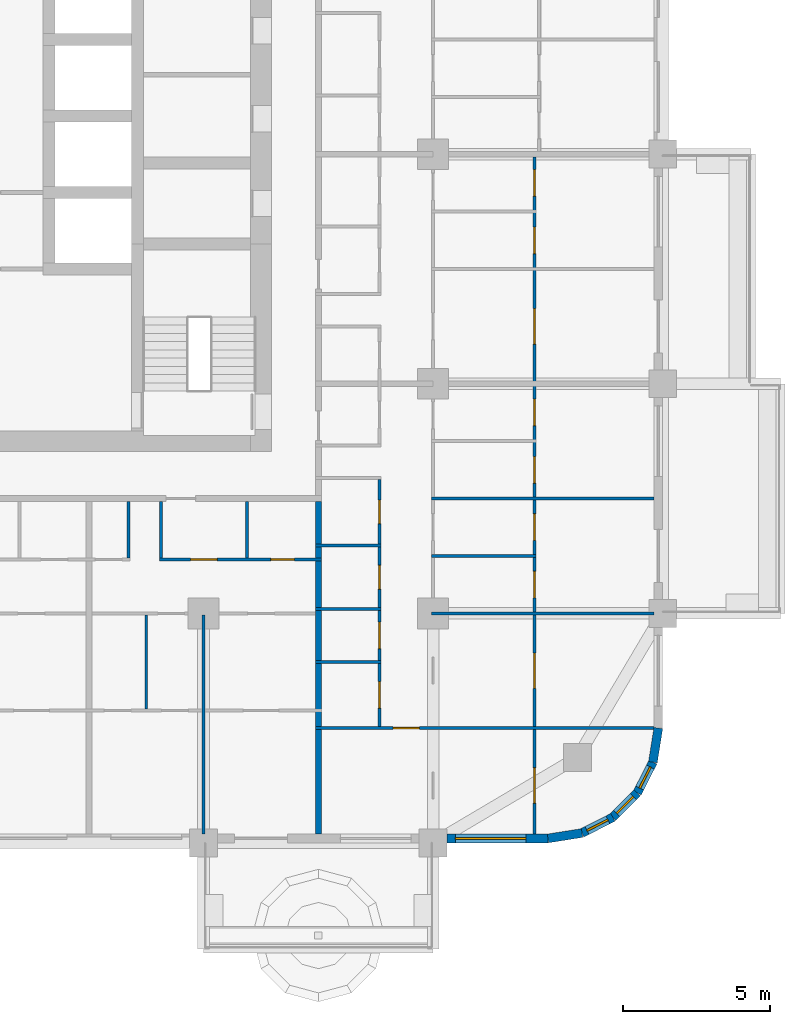
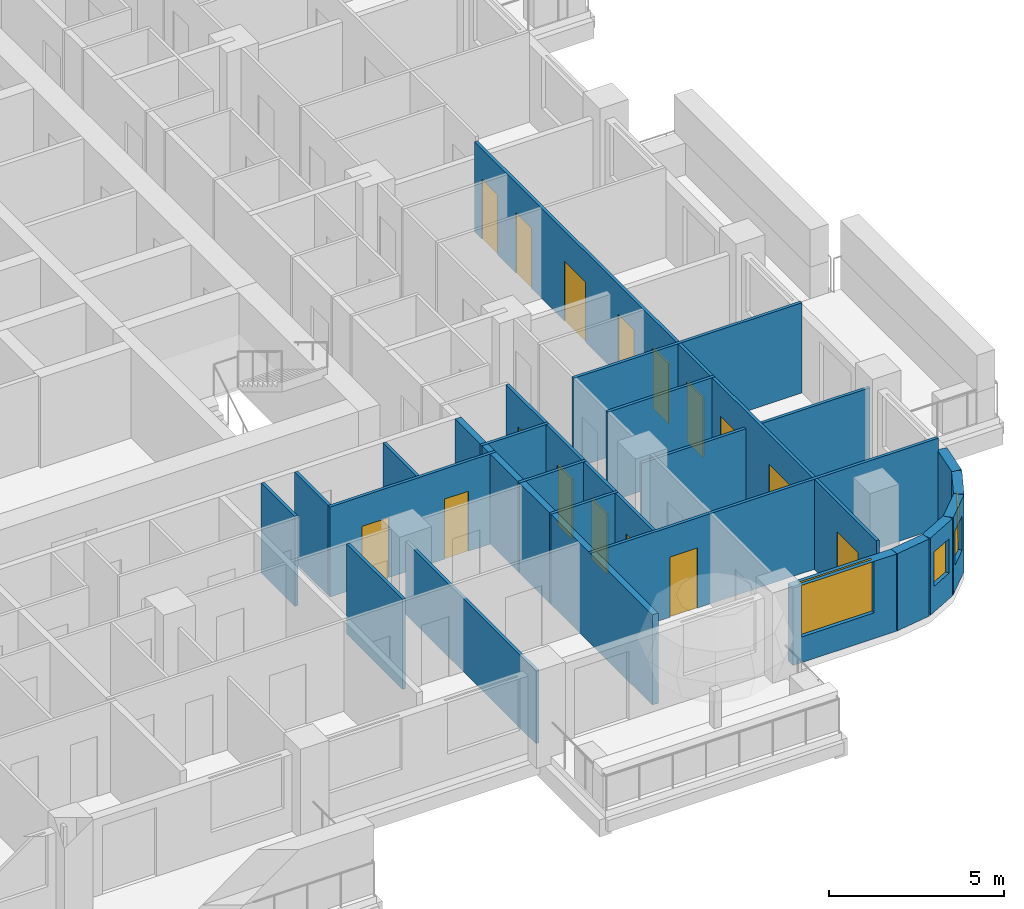
# One storey, part 7 of 19: 22 walls, 16 doors, 4 windows, 20 openings.
"""IFC4 building model written with IfcOpenShell, lengths in metres."""

from ifc_helpers import new_model, si_unit, direction, frame, frame_2d, origin, place, context, subcontext, project, spatial, rectangle, extrude, material, layer, layer_set, type_object, element, fill, save


model = new_model("IFC4")

# Units and contexts
model_context = context("Model", 3, precision=1e-05, world=origin(), true_north=direction((0.0, 1.0)))
body_context = subcontext(model_context, "Body", "Model", "MODEL_VIEW")
ifc_project = project(units=[si_unit("LENGTHUNIT", "METRE"), si_unit("AREAUNIT", "SQUARE_METRE"), si_unit("VOLUMEUNIT", "CUBIC_METRE"), si_unit("PLANEANGLEUNIT", "RADIAN"), si_unit("MASSUNIT", "GRAM", prefix="KILO")], contexts=[model_context])

# Site, building, storey
site_placement = place(None, origin())
site = spatial("IfcSite", under=ifc_project, at=site_placement, CompositionType="ELEMENT")
building_placement = place(site_placement, origin())
building = spatial("IfcBuilding", under=site, at=building_placement, Name="Ludao Terraces", CompositionType="ELEMENT")
storey_placement = place(building_placement, frame((0.0, 0.0, 68.199951171875)))
storey = spatial("IfcBuildingStorey", under=building, at=storey_placement, Name="L18", CompositionType="ELEMENT", Elevation=68.199951171875)

# Wall, opening, window
ifc_material_1 = material(Name="Granite cladding", Category="masonry")
ifc_layer_1 = layer(ifc_material_1, 0.0400390625, Category="stone")
ifc_material_2 = material(Name="Mineral wool")
ifc_layer_2 = layer(ifc_material_2, 0.06005859375)
ifc_material_3 = material(Name="Concrete C40", Category="concrete")
ifc_layer_3 = layer(ifc_material_3, 0.199951171875, Category="concrete")
ifc_layer_set_1 = layer_set([ifc_layer_1, ifc_layer_2, ifc_layer_3], Name="ENV Stone-clad wall 300")
wall_type_1 = type_object("IfcWallType", Name="ENV Stone-clad wall 300", PredefinedType="SOLIDWALL", material=ifc_layer_set_1)
wall_1_placement = place(storey_placement, frame((101.074951171875, 41.75, 0.0), z_axis=(0.0, 0.0, 1.0), x_axis=(1.0, 0.0, 0.0)))
wall_1 = element("IfcWall", 1, at=wall_1_placement, inside=storey, type_object=wall_type_1, Name="EW-L18-S6", PredefinedType="SOLIDWALL", context=body_context, shape_type="SweptSolid", body=[
    extrude(rectangle(XDim=3.425048828125, YDim=0.300048828125, at=frame_2d((1.71240234375, 0.0))), origin(), (0.0, 0.0, 1.0), 2.699951171875),
])
opening_1_placement = place(wall_1_placement, frame((0.27490234375, 0.0, 0.89990234375)))
opening_1 = element("IfcOpeningElement", 2, at=opening_1_placement, cuts=wall_1, Name="Opening W1", PredefinedType="OPENING", context=body_context, shape_type="SweptSolid", body=[
    extrude(rectangle(XDim=2.39990234375, YDim=1.800048828125, at=frame_2d((1.199951171875, 0.89990234375))), frame((0.0, 0.16015625, 0.0), z_axis=(0.0, -1.0, 0.0), x_axis=(1.0, 0.0, 0.0)), (0.0, 0.0, 1.0), 0.320068359375),
])
ifc_material_4 = material(Name="Clear glass in aluminium frame", Category="aluminium")
ifc_layer_4 = layer(ifc_material_4, 0.06005859375)
ifc_layer_set_2 = layer_set([ifc_layer_4], Name="ENV Window W1 2400x1800")
window_type_1 = type_object("IfcWindowType", Name="ENV Window W1 2400x1800", PartitioningType="DOUBLE_PANEL_VERTICAL", PredefinedType="WINDOW", material=ifc_layer_set_2)
window_1_placement = place(opening_1_placement, origin())
window_1 = element("IfcWindow", 3, at=window_1_placement, inside=storey, type_object=window_type_1, Name="W-L18-S6-1", OverallHeight=1.800048828125, OverallWidth=2.39990234375, PartitioningType="DOUBLE_PANEL_VERTICAL", PredefinedType="WINDOW", context=body_context, shape_type="SweptSolid", body=[
    extrude(rectangle(XDim=2.39990234375, YDim=1.800048828125, at=frame_2d((1.199951171875, 0.89990234375))), frame((0.0, 0.030029296875, 0.0), z_axis=(0.0, -1.0, 0.0), x_axis=(1.0, 0.0, 0.0)), (0.0, 0.0, 1.0), 0.06005859375),
])
fill(opening_1, window_1)

# Wall
wall_2_placement = place(storey_placement, frame((104.5, 41.75, 0.0), z_axis=(0.0, 0.0, 1.0), x_axis=(0.987678452879, 0.156496880861, 0.0)))
element("IfcWall", 4, at=wall_2_placement, inside=storey, type_object=wall_type_1, Name="EW-L18-SE1", PredefinedType="SOLIDWALL", context=body_context, shape_type="SweptSolid", body=[
    extrude(rectangle(XDim=1.173095703125, YDim=0.300048828125, at=frame_2d((0.58642578125, 0.0))), origin(), (0.0, 0.0, 1.0), 2.699951171875),
])

# Wall, opening, window
wall_3_placement = place(storey_placement, frame((105.65869140625, 41.93359375, 0.0), z_axis=(0.0, 0.0, 1.0), x_axis=(0.890988677504, 0.454025524128, 0.0)))
wall_3 = element("IfcWall", 5, at=wall_3_placement, inside=storey, type_object=wall_type_1, Name="EW-L18-SE2", PredefinedType="SOLIDWALL", context=body_context, shape_type="SweptSolid", body=[
    extrude(rectangle(XDim=1.17333984375, YDim=0.300048828125, at=frame_2d((0.586669921875, 0.0))), origin(), (0.0, 0.0, 1.0), 2.699951171875),
])
opening_2_placement = place(wall_3_placement, frame((0.1865234375, 0.0, 0.89990234375)))
opening_2 = element("IfcOpeningElement", 6, at=opening_2_placement, cuts=wall_3, Name="Opening W3", PredefinedType="OPENING", context=body_context, shape_type="SweptSolid", body=[
    extrude(rectangle(XDim=0.800048828125, YDim=1.199951171875, at=frame_2d((0.39990234375, 0.60009765625))), frame((0.0, 0.16015625, 0.0), z_axis=(0.0, -1.0, 0.0), x_axis=(1.0, 0.0, 0.0)), (0.0, 0.0, 1.0), 0.320068359375),
])
ifc_layer_5 = layer(ifc_material_4, 0.06005859375)
ifc_layer_set_3 = layer_set([ifc_layer_5], Name="ENV Window W3 800x1200")
window_type_2 = type_object("IfcWindowType", Name="ENV Window W3 800x1200", PartitioningType="SINGLE_PANEL", PredefinedType="WINDOW", material=ifc_layer_set_3)
window_2_placement = place(opening_2_placement, origin())
window_2 = element("IfcWindow", 7, at=window_2_placement, inside=storey, type_object=window_type_2, Name="W-L18-SE2", OverallHeight=1.199951171875, OverallWidth=0.800048828125, PartitioningType="SINGLE_PANEL", PredefinedType="WINDOW", context=body_context, shape_type="SweptSolid", body=[
    extrude(rectangle(XDim=0.800048828125, YDim=1.199951171875, at=frame_2d((0.39990234375, 0.60009765625))), frame((0.0, 0.030029296875, 0.0), z_axis=(0.0, -1.0, 0.0), x_axis=(1.0, 0.0, 0.0)), (0.0, 0.0, 1.0), 0.06005859375),
])
fill(opening_2, window_2)

wall_4_placement = place(storey_placement, frame((106.7041015625, 42.46630859375, 0.0), z_axis=(0.0, 0.0, 1.0), x_axis=(0.707106781187, 0.707106781187, 0.0)))
wall_4 = element("IfcWall", 8, at=wall_4_placement, inside=storey, type_object=wall_type_1, Name="EW-L18-SE3", PredefinedType="SOLIDWALL", context=body_context, shape_type="SweptSolid", body=[
    extrude(rectangle(XDim=1.173095703125, YDim=0.300048828125, at=frame_2d((0.58642578125, 0.0))), origin(), (0.0, 0.0, 1.0), 2.699951171875),
])
opening_3_placement = place(wall_4_placement, frame((0.1865234375, 0.0, 0.89990234375)))
opening_3 = element("IfcOpeningElement", 9, at=opening_3_placement, cuts=wall_4, Name="Opening W3", PredefinedType="OPENING", context=body_context, shape_type="SweptSolid", body=[
    extrude(rectangle(XDim=0.800048828125, YDim=1.199951171875, at=frame_2d((0.39990234375, 0.60009765625))), frame((0.0, 0.16015625, 0.0), z_axis=(0.0, -1.0, 0.0), x_axis=(1.0, 0.0, 0.0)), (0.0, 0.0, 1.0), 0.320068359375),
])
window_3_placement = place(opening_3_placement, origin())
window_3 = element("IfcWindow", 10, at=window_3_placement, inside=storey, type_object=window_type_2, Name="W-L18-SE3", OverallHeight=1.199951171875, OverallWidth=0.800048828125, PartitioningType="SINGLE_PANEL", PredefinedType="WINDOW", context=body_context, shape_type="SweptSolid", body=[
    extrude(rectangle(XDim=0.800048828125, YDim=1.199951171875, at=frame_2d((0.39990234375, 0.60009765625))), frame((0.0, 0.030029296875, 0.0), z_axis=(0.0, -1.0, 0.0), x_axis=(1.0, 0.0, 0.0)), (0.0, 0.0, 1.0), 0.06005859375),
])
fill(opening_3, window_3)

wall_5_placement = place(storey_placement, frame((107.53369140625, 43.2958984375, 0.0), z_axis=(0.0, 0.0, 1.0), x_axis=(0.454025524128, 0.890988677504, 0.0)))
wall_5 = element("IfcWall", 11, at=wall_5_placement, inside=storey, type_object=wall_type_1, Name="EW-L18-SE4", PredefinedType="SOLIDWALL", context=body_context, shape_type="SweptSolid", body=[
    extrude(rectangle(XDim=1.17333984375, YDim=0.300048828125, at=frame_2d((0.586669921875, 0.0))), origin(), (0.0, 0.0, 1.0), 2.699951171875),
])
opening_4_placement = place(wall_5_placement, frame((0.1865234375, 0.0, 0.89990234375)))
opening_4 = element("IfcOpeningElement", 12, at=opening_4_placement, cuts=wall_5, Name="Opening W3", PredefinedType="OPENING", context=body_context, shape_type="SweptSolid", body=[
    extrude(rectangle(XDim=0.800048828125, YDim=1.199951171875, at=frame_2d((0.39990234375, 0.60009765625))), frame((0.0, 0.16015625, 0.0), z_axis=(0.0, -1.0, 0.0), x_axis=(1.0, 0.0, 0.0)), (0.0, 0.0, 1.0), 0.320068359375),
])
window_4_placement = place(opening_4_placement, origin())
window_4 = element("IfcWindow", 13, at=window_4_placement, inside=storey, type_object=window_type_2, Name="W-L18-SE4", OverallHeight=1.199951171875, OverallWidth=0.800048828125, PartitioningType="SINGLE_PANEL", PredefinedType="WINDOW", context=body_context, shape_type="SweptSolid", body=[
    extrude(rectangle(XDim=0.800048828125, YDim=1.199951171875, at=frame_2d((0.39990234375, 0.60009765625))), frame((0.0, 0.030029296875, 0.0), z_axis=(0.0, -1.0, 0.0), x_axis=(1.0, 0.0, 0.0)), (0.0, 0.0, 1.0), 0.06005859375),
])
fill(opening_4, window_4)

# Wall
wall_6_placement = place(storey_placement, frame((108.06640625, 44.34130859375, 0.0), z_axis=(0.0, 0.0, 1.0), x_axis=(0.156496880861, 0.987678452879, 0.0)))
element("IfcWall", 14, at=wall_6_placement, inside=storey, type_object=wall_type_1, Name="EW-L18-SE5", PredefinedType="SOLIDWALL", context=body_context, shape_type="SweptSolid", body=[
    extrude(rectangle(XDim=1.173095703125, YDim=0.300048828125, at=frame_2d((0.58642578125, 0.0))), origin(), (0.0, 0.0, 1.0), 2.699951171875),
])

# Wall, opening, door
ifc_material_5 = material(Name="Gypsum plasterboard", Category="gypsum")
ifc_layer_6 = layer(ifc_material_5, 0.012451171875, Category="gypsum")
ifc_layer_7 = layer(ifc_material_2, 0.06005859375, Name="insulation")
ifc_material_6 = material(Name="Steel Q235", Category="steel")
ifc_layer_8 = layer(ifc_material_6, 0.014892578125, Name="stud")
ifc_layer_9 = layer(ifc_material_5, 0.012451171875, Category="gypsum")
ifc_layer_set_4 = layer_set([ifc_layer_6, ifc_layer_7, ifc_layer_8, ifc_layer_9], Name="INT Partition 100")
wall_type_2 = type_object("IfcWallType", Name="INT Partition 100", PredefinedType="PARTITIONING", material=ifc_layer_set_4)
wall_7_placement = place(storey_placement, frame((96.60009765625, 45.5, 0.0), z_axis=(0.0, 0.0, 1.0), x_axis=(1.0, 0.0, 0.0)))
wall_7 = element("IfcWall", 15, at=wall_7_placement, inside=storey, type_object=wall_type_2, Name="PW-L18-PW001", PredefinedType="PARTITIONING", context=body_context, shape_type="SweptSolid", body=[
    extrude(rectangle(XDim=11.5, YDim=0.10009765625, at=frame_2d((5.75, 0.0))), origin(), (0.0, 0.0, 1.0), 3.150146484375),
])
opening_5_placement = place(wall_7_placement, frame((2.635009765625, 0.0, 0.0)))
opening_5 = element("IfcOpeningElement", 16, at=opening_5_placement, cuts=wall_7, Name="Opening R05-006", PredefinedType="OPENING", context=body_context, shape_type="SweptSolid", body=[
    extrude(rectangle(XDim=0.89990234375, YDim=2.10009765625, at=frame_2d((0.449951171875, 1.050048828125))), frame((0.0, 0.06005859375, 0.0), z_axis=(0.0, -1.0, 0.0), x_axis=(1.0, 0.0, 0.0)), (0.0, 0.0, 1.0), 0.1201171875),
])
ifc_material_7 = material(Name="Timber door leaf", Category="wood")
door_type_1 = type_object("IfcDoorType", Name="INT Room door 900", OperationType="SINGLE_SWING_LEFT", PredefinedType="DOOR", material=ifc_material_7)
door_1_placement = place(opening_5_placement, origin())
door_1 = element("IfcDoor", 17, at=door_1_placement, inside=storey, type_object=door_type_1, Name="DOOR 006", OperationType="SINGLE_SWING_RIGHT", OverallHeight=2.10009765625, OverallWidth=0.89990234375, PredefinedType="DOOR", context=body_context, shape_type="SweptSolid", body=[
    extrude(rectangle(XDim=0.89990234375, YDim=2.10009765625, at=frame_2d((0.449951171875, 1.050048828125))), frame((0.0, 0.02490234375, 0.0), z_axis=(0.0, -1.0, 0.0), x_axis=(1.0, 0.0, 0.0)), (0.0, 0.0, 1.0), 0.050048828125),
])
fill(opening_5, door_1)

# Walls
wall_8_placement = place(storey_placement, frame((96.60009765625, 47.75, 0.0), z_axis=(0.0, 0.0, 1.0), x_axis=(1.0, 0.0, 0.0)))
element("IfcWall", 18, at=wall_8_placement, inside=storey, type_object=wall_type_2, Name="PW-L18-PW005", PredefinedType="PARTITIONING", context=body_context, shape_type="SweptSolid", body=[
    extrude(rectangle(XDim=2.219970703125, YDim=0.10009765625, at=frame_2d((1.10986328125, 0.0))), origin(), (0.0, 0.0, 1.0), 3.150146484375),
])
wall_9_placement = place(storey_placement, frame((100.550048828125, 49.39990234375, 0.0), z_axis=(0.0, 0.0, 1.0), x_axis=(1.0, 0.0, 0.0)))
element("IfcWall", 19, at=wall_9_placement, inside=storey, type_object=wall_type_2, Name="PW-L18-PW009", PredefinedType="PARTITIONING", context=body_context, shape_type="SweptSolid", body=[
    extrude(rectangle(XDim=7.550048828125, YDim=0.10009765625, at=frame_2d((3.77490234375, 0.0))), origin(), (0.0, 0.0, 1.0), 2.550048828125),
])
wall_10_placement = place(storey_placement, frame((96.60009765625, 49.550048828125, 0.0), z_axis=(0.0, 0.0, 1.0), x_axis=(1.0, 0.0, 0.0)))
element("IfcWall", 20, at=wall_10_placement, inside=storey, type_object=wall_type_2, Name="PW-L18-PW010", PredefinedType="PARTITIONING", context=body_context, shape_type="SweptSolid", body=[
    extrude(rectangle(XDim=2.219970703125, YDim=0.10009765625, at=frame_2d((1.10986328125, 0.0))), origin(), (0.0, 0.0, 1.0), 3.150146484375),
])

# Wall, openings, doors
wall_11_placement = place(storey_placement, frame((91.300048828125, 51.22998046875, 0.0), z_axis=(0.0, 0.0, 1.0), x_axis=(1.0, 0.0, 0.0)))
wall_11 = element("IfcWall", 21, at=wall_11_placement, inside=storey, type_object=wall_type_2, Name="PW-L18-PW014", PredefinedType="PARTITIONING", context=body_context, shape_type="SweptSolid", body=[
    extrude(rectangle(XDim=5.5, YDim=0.10009765625, at=frame_2d((2.75, 0.0))), origin(), (0.0, 0.0, 1.0), 3.150146484375),
])
opening_6_placement = place(wall_11_placement, frame((1.06005859375, 0.0, 0.0)))
opening_6 = element("IfcOpeningElement", 22, at=opening_6_placement, cuts=wall_11, Name="Opening R05-040", PredefinedType="OPENING", context=body_context, shape_type="SweptSolid", body=[
    extrude(rectangle(XDim=0.89990234375, YDim=2.10009765625, at=frame_2d((0.449951171875, 1.050048828125))), frame((0.0, 0.06005859375, 0.0), z_axis=(0.0, -1.0, 0.0), x_axis=(1.0, 0.0, 0.0)), (0.0, 0.0, 1.0), 0.1201171875),
])
opening_7_placement = place(wall_11_placement, frame((3.784912109375, 0.0, 0.0)))
opening_7 = element("IfcOpeningElement", 23, at=opening_7_placement, cuts=wall_11, Name="Opening R05-041", PredefinedType="OPENING", context=body_context, shape_type="SweptSolid", body=[
    extrude(rectangle(XDim=0.800048828125, YDim=2.10009765625, at=frame_2d((0.39990234375, 1.050048828125))), frame((0.0, 0.06005859375, 0.0), z_axis=(0.0, -1.0, 0.0), x_axis=(1.0, 0.0, 0.0)), (0.0, 0.0, 1.0), 0.1201171875),
])
door_2_placement = place(opening_6_placement, origin())
door_2 = element("IfcDoor", 24, at=door_2_placement, inside=storey, type_object=door_type_1, Name="DOOR 040", OperationType="SINGLE_SWING_LEFT", OverallHeight=2.10009765625, OverallWidth=0.89990234375, PredefinedType="DOOR", context=body_context, shape_type="SweptSolid", body=[
    extrude(rectangle(XDim=0.89990234375, YDim=2.10009765625, at=frame_2d((0.449951171875, 1.050048828125))), frame((0.0, 0.02490234375, 0.0), z_axis=(0.0, -1.0, 0.0), x_axis=(1.0, 0.0, 0.0)), (0.0, 0.0, 1.0), 0.050048828125),
])
fill(opening_6, door_2)
door_type_2 = type_object("IfcDoorType", Name="INT Store door 800", OperationType="SINGLE_SWING_LEFT", PredefinedType="DOOR", material=ifc_material_7)
door_3_placement = place(opening_7_placement, origin())
door_3 = element("IfcDoor", 25, at=door_3_placement, inside=storey, type_object=door_type_2, Name="DOOR 041", OperationType="SINGLE_SWING_RIGHT", OverallHeight=2.10009765625, OverallWidth=0.800048828125, PredefinedType="DOOR", context=body_context, shape_type="SweptSolid", body=[
    extrude(rectangle(XDim=0.800048828125, YDim=2.10009765625, at=frame_2d((0.39990234375, 1.050048828125))), frame((0.0, 0.02490234375, 0.0), z_axis=(0.0, -1.0, 0.0), x_axis=(1.0, 0.0, 0.0)), (0.0, 0.0, 1.0), 0.050048828125),
])
fill(opening_7, door_3)

# Walls
wall_12_placement = place(storey_placement, frame((100.550048828125, 51.35009765625, 0.0), z_axis=(0.0, 0.0, 1.0), x_axis=(1.0, 0.0, 0.0)))
element("IfcWall", 26, at=wall_12_placement, inside=storey, type_object=wall_type_2, Name="PW-L18-PW015", PredefinedType="PARTITIONING", context=body_context, shape_type="SweptSolid", body=[
    extrude(rectangle(XDim=3.550048828125, YDim=0.10009765625, at=frame_2d((1.77490234375, 0.0))), origin(), (0.0, 0.0, 1.0), 3.150146484375),
])
wall_13_placement = place(storey_placement, frame((96.60009765625, 51.699951171875, 0.0), z_axis=(0.0, 0.0, 1.0), x_axis=(1.0, 0.0, 0.0)))
element("IfcWall", 27, at=wall_13_placement, inside=storey, type_object=wall_type_2, Name="PW-L18-PW017", PredefinedType="PARTITIONING", context=body_context, shape_type="SweptSolid", body=[
    extrude(rectangle(XDim=2.219970703125, YDim=0.10009765625, at=frame_2d((1.10986328125, 0.0))), origin(), (0.0, 0.0, 1.0), 3.150146484375),
])
wall_14_placement = place(storey_placement, frame((100.550048828125, 53.300048828125, 0.0), z_axis=(0.0, 0.0, 1.0), x_axis=(1.0, 0.0, 0.0)))
element("IfcWall", 28, at=wall_14_placement, inside=storey, type_object=wall_type_2, Name="PW-L18-PW020", PredefinedType="PARTITIONING", context=body_context, shape_type="SweptSolid", body=[
    extrude(rectangle(XDim=7.550048828125, YDim=0.10009765625, at=frame_2d((3.77490234375, 0.0))), origin(), (0.0, 0.0, 1.0), 3.150146484375),
])
wall_15_placement = place(storey_placement, frame((90.25, 51.280029296875, 0.0), z_axis=(0.0, 0.0, 1.0), x_axis=(0.0, 1.0, 0.0)))
element("IfcWall", 29, at=wall_15_placement, inside=storey, type_object=wall_type_2, Name="PW-L18-PW111", PredefinedType="PARTITIONING", context=body_context, shape_type="SweptSolid", body=[
    extrude(rectangle(XDim=1.920166015625, YDim=0.10009765625, at=frame_2d((0.9599609375, 0.0))), origin(), (0.0, 0.0, 1.0), 3.150146484375),
])
wall_16_placement = place(storey_placement, frame((90.85009765625, 46.150146484375, 0.0), z_axis=(0.0, 0.0, 1.0), x_axis=(0.0, 1.0, 0.0)))
element("IfcWall", 30, at=wall_16_placement, inside=storey, type_object=wall_type_2, Name="PW-L18-PW112", PredefinedType="PARTITIONING", context=body_context, shape_type="SweptSolid", body=[
    extrude(rectangle(XDim=3.199951171875, YDim=0.10009765625, at=frame_2d((1.60009765625, 0.0))), origin(), (0.0, 0.0, 1.0), 3.150146484375),
])
wall_17_placement = place(storey_placement, frame((91.35009765625, 51.280029296875, 0.0), z_axis=(0.0, 0.0, 1.0), x_axis=(0.0, 1.0, 0.0)))
element("IfcWall", 31, at=wall_17_placement, inside=storey, type_object=wall_type_2, Name="PW-L18-PW113", PredefinedType="PARTITIONING", context=body_context, shape_type="SweptSolid", body=[
    extrude(rectangle(XDim=1.920166015625, YDim=0.10009765625, at=frame_2d((0.9599609375, 0.0))), origin(), (0.0, 0.0, 1.0), 3.150146484375),
])
wall_18_placement = place(storey_placement, frame((92.800048828125, 41.900146484375, 0.0), z_axis=(0.0, 0.0, 1.0), x_axis=(0.0, 1.0, 0.0)))
element("IfcWall", 32, at=wall_18_placement, inside=storey, type_object=wall_type_2, Name="PW-L18-PW114", PredefinedType="PARTITIONING", context=body_context, shape_type="SweptSolid", body=[
    extrude(rectangle(XDim=7.449951171875, YDim=0.10009765625, at=frame_2d((3.72509765625, 0.0))), origin(), (0.0, 0.0, 1.0), 2.550048828125),
])
wall_19_placement = place(storey_placement, frame((94.27001953125, 51.280029296875, 0.0), z_axis=(0.0, 0.0, 1.0), x_axis=(0.0, 1.0, 0.0)))
element("IfcWall", 33, at=wall_19_placement, inside=storey, type_object=wall_type_2, Name="PW-L18-PW116", PredefinedType="PARTITIONING", context=body_context, shape_type="SweptSolid", body=[
    extrude(rectangle(XDim=1.920166015625, YDim=0.10009765625, at=frame_2d((0.9599609375, 0.0))), origin(), (0.0, 0.0, 1.0), 3.150146484375),
])

# Wall, openings, doors
wall_20_placement = place(storey_placement, frame((98.77001953125, 45.550048828125, 0.0), z_axis=(0.0, 0.0, 1.0), x_axis=(0.0, 1.0, 0.0)))
wall_20 = element("IfcWall", 34, at=wall_20_placement, inside=storey, type_object=wall_type_2, Name="PW-L18-PW120", PredefinedType="PARTITIONING", context=body_context, shape_type="SweptSolid", body=[
    extrude(rectangle(XDim=8.400146484375, YDim=0.10009765625, at=frame_2d((4.2001953125, 0.0))), origin(), (0.0, 0.0, 1.0), 3.150146484375),
])
opening_8_placement = place(wall_20_placement, frame((0.625, 0.0, 0.0)))
opening_8 = element("IfcOpeningElement", 35, at=opening_8_placement, cuts=wall_20, Name="Opening R05-017", PredefinedType="OPENING", context=body_context, shape_type="SweptSolid", body=[
    extrude(rectangle(XDim=0.89990234375, YDim=2.10009765625, at=frame_2d((0.449951171875, 1.050048828125))), frame((0.0, 0.06005859375, 0.0), z_axis=(0.0, -1.0, 0.0), x_axis=(1.0, 0.0, 0.0)), (0.0, 0.0, 1.0), 0.1201171875),
])
opening_9_placement = place(wall_20_placement, frame((2.64990234375, 0.0, 0.0)))
opening_9 = element("IfcOpeningElement", 36, at=opening_9_placement, cuts=wall_20, Name="Opening R05-023", PredefinedType="OPENING", context=body_context, shape_type="SweptSolid", body=[
    extrude(rectangle(XDim=0.89990234375, YDim=2.10009765625, at=frame_2d((0.449951171875, 1.050048828125))), frame((0.0, 0.06005859375, 0.0), z_axis=(0.0, -1.0, 0.0), x_axis=(1.0, 0.0, 0.0)), (0.0, 0.0, 1.0), 0.1201171875),
])
opening_10_placement = place(wall_20_placement, frame((4.675048828125, 0.0, 0.0)))
opening_10 = element("IfcOpeningElement", 37, at=opening_10_placement, cuts=wall_20, Name="Opening R05-032", PredefinedType="OPENING", context=body_context, shape_type="SweptSolid", body=[
    extrude(rectangle(XDim=0.800048828125, YDim=2.10009765625, at=frame_2d((0.39990234375, 1.050048828125))), frame((0.0, 0.06005859375, 0.0), z_axis=(0.0, -1.0, 0.0), x_axis=(1.0, 0.0, 0.0)), (0.0, 0.0, 1.0), 0.1201171875),
])
opening_11_placement = place(wall_20_placement, frame((6.89990234375, 0.0, 0.0)))
opening_11 = element("IfcOpeningElement", 38, at=opening_11_placement, cuts=wall_20, Name="Opening R05-047", PredefinedType="OPENING", context=body_context, shape_type="SweptSolid", body=[
    extrude(rectangle(XDim=0.800048828125, YDim=2.10009765625, at=frame_2d((0.39990234375, 1.050048828125))), frame((0.0, 0.06005859375, 0.0), z_axis=(0.0, -1.0, 0.0), x_axis=(1.0, 0.0, 0.0)), (0.0, 0.0, 1.0), 0.1201171875),
])
door_type_3 = type_object("IfcDoorType", Name="INT Bathroom door 900", OperationType="SINGLE_SWING_LEFT", PredefinedType="DOOR", material=ifc_material_7)
door_4_placement = place(opening_8_placement, origin())
door_4 = element("IfcDoor", 39, at=door_4_placement, inside=storey, type_object=door_type_3, Name="DOOR 017", OperationType="SINGLE_SWING_LEFT", OverallHeight=2.10009765625, OverallWidth=0.89990234375, PredefinedType="DOOR", context=body_context, shape_type="SweptSolid", body=[
    extrude(rectangle(XDim=0.89990234375, YDim=2.10009765625, at=frame_2d((0.449951171875, 1.050048828125))), frame((0.0, 0.02490234375, 0.0), z_axis=(0.0, -1.0, 0.0), x_axis=(1.0, 0.0, 0.0)), (0.0, 0.0, 1.0), 0.050048828125),
])
fill(opening_8, door_4)
door_5_placement = place(opening_9_placement, origin())
door_5 = element("IfcDoor", 40, at=door_5_placement, inside=storey, type_object=door_type_3, Name="DOOR 023", OperationType="SINGLE_SWING_RIGHT", OverallHeight=2.10009765625, OverallWidth=0.89990234375, PredefinedType="DOOR", context=body_context, shape_type="SweptSolid", body=[
    extrude(rectangle(XDim=0.89990234375, YDim=2.10009765625, at=frame_2d((0.449951171875, 1.050048828125))), frame((0.0, 0.02490234375, 0.0), z_axis=(0.0, -1.0, 0.0), x_axis=(1.0, 0.0, 0.0)), (0.0, 0.0, 1.0), 0.050048828125),
])
fill(opening_9, door_5)
door_6_placement = place(opening_10_placement, origin())
door_6 = element("IfcDoor", 41, at=door_6_placement, inside=storey, type_object=door_type_2, Name="DOOR 032", OperationType="SINGLE_SWING_LEFT", OverallHeight=2.10009765625, OverallWidth=0.800048828125, PredefinedType="DOOR", context=body_context, shape_type="SweptSolid", body=[
    extrude(rectangle(XDim=0.800048828125, YDim=2.10009765625, at=frame_2d((0.39990234375, 1.050048828125))), frame((0.0, 0.02490234375, 0.0), z_axis=(0.0, -1.0, 0.0), x_axis=(1.0, 0.0, 0.0)), (0.0, 0.0, 1.0), 0.050048828125),
])
fill(opening_10, door_6)
door_7_placement = place(opening_11_placement, origin())
door_7 = element("IfcDoor", 42, at=door_7_placement, inside=storey, type_object=door_type_2, Name="DOOR 047", OperationType="SINGLE_SWING_LEFT", OverallHeight=2.10009765625, OverallWidth=0.800048828125, PredefinedType="DOOR", context=body_context, shape_type="SweptSolid", body=[
    extrude(rectangle(XDim=0.800048828125, YDim=2.10009765625, at=frame_2d((0.39990234375, 1.050048828125))), frame((0.0, 0.02490234375, 0.0), z_axis=(0.0, -1.0, 0.0), x_axis=(1.0, 0.0, 0.0)), (0.0, 0.0, 1.0), 0.050048828125),
])
fill(opening_11, door_7)

wall_21_placement = place(storey_placement, frame((104.050048828125, 41.900146484375, 0.0), z_axis=(0.0, 0.0, 1.0), x_axis=(0.0, 1.0, 0.0)))
wall_21 = element("IfcWall", 43, at=wall_21_placement, inside=storey, type_object=wall_type_2, Name="PW-L18-PW126", PredefinedType="PARTITIONING", context=body_context, shape_type="SweptSolid", body=[
    extrude(rectangle(XDim=23.0, YDim=0.10009765625, at=frame_2d((11.5, 0.0))), origin(), (0.0, 0.0, 1.0), 3.150146484375),
])
opening_12_placement = place(wall_21_placement, frame((1.050048828125, 0.0, 0.0)))
opening_12 = element("IfcOpeningElement", 44, at=opening_12_placement, cuts=wall_21, Name="Opening R05-004", PredefinedType="OPENING", context=body_context, shape_type="SweptSolid", body=[
    extrude(rectangle(XDim=1.199951171875, YDim=2.10009765625, at=frame_2d((0.60009765625, 1.050048828125))), frame((0.0, 0.06005859375, 0.0), z_axis=(0.0, -1.0, 0.0), x_axis=(1.0, 0.0, 0.0)), (0.0, 0.0, 1.0), 0.1201171875),
])
opening_13_placement = place(wall_21_placement, frame((4.949951171875, 0.0, 0.0)))
opening_13 = element("IfcOpeningElement", 45, at=opening_13_placement, cuts=wall_21, Name="Opening R05-020", PredefinedType="OPENING", context=body_context, shape_type="SweptSolid", body=[
    extrude(rectangle(XDim=1.199951171875, YDim=2.10009765625, at=frame_2d((0.60009765625, 1.050048828125))), frame((0.0, 0.06005859375, 0.0), z_axis=(0.0, -1.0, 0.0), x_axis=(1.0, 0.0, 0.0)), (0.0, 0.0, 1.0), 0.1201171875),
])
opening_14_placement = place(wall_21_placement, frame((8.02490234375, 0.0, 0.0)))
opening_14 = element("IfcOpeningElement", 46, at=opening_14_placement, cuts=wall_21, Name="Opening R05-031", PredefinedType="OPENING", context=body_context, shape_type="SweptSolid", body=[
    extrude(rectangle(XDim=0.89990234375, YDim=2.10009765625, at=frame_2d((0.449951171875, 1.050048828125))), frame((0.0, 0.06005859375, 0.0), z_axis=(0.0, -1.0, 0.0), x_axis=(1.0, 0.0, 0.0)), (0.0, 0.0, 1.0), 0.1201171875),
])
opening_15_placement = place(wall_21_placement, frame((9.97509765625, 0.0, 0.0)))
opening_15 = element("IfcOpeningElement", 47, at=opening_15_placement, cuts=wall_21, Name="Opening R05-045", PredefinedType="OPENING", context=body_context, shape_type="SweptSolid", body=[
    extrude(rectangle(XDim=0.89990234375, YDim=2.10009765625, at=frame_2d((0.449951171875, 1.050048828125))), frame((0.0, 0.06005859375, 0.0), z_axis=(0.0, -1.0, 0.0), x_axis=(1.0, 0.0, 0.0)), (0.0, 0.0, 1.0), 0.1201171875),
])
opening_16_placement = place(wall_21_placement, frame((11.925048828125, 0.0, 0.0)))
opening_16 = element("IfcOpeningElement", 48, at=opening_16_placement, cuts=wall_21, Name="Opening R05-051", PredefinedType="OPENING", context=body_context, shape_type="SweptSolid", body=[
    extrude(rectangle(XDim=0.89990234375, YDim=2.10009765625, at=frame_2d((0.449951171875, 1.050048828125))), frame((0.0, 0.06005859375, 0.0), z_axis=(0.0, -1.0, 0.0), x_axis=(1.0, 0.0, 0.0)), (0.0, 0.0, 1.0), 0.1201171875),
])
opening_17_placement = place(wall_21_placement, frame((13.875, 0.0, 0.0)))
opening_17 = element("IfcOpeningElement", 49, at=opening_17_placement, cuts=wall_21, Name="Opening R05-060", PredefinedType="OPENING", context=body_context, shape_type="SweptSolid", body=[
    extrude(rectangle(XDim=0.89990234375, YDim=2.10009765625, at=frame_2d((0.449951171875, 1.050048828125))), frame((0.0, 0.06005859375, 0.0), z_axis=(0.0, -1.0, 0.0), x_axis=(1.0, 0.0, 0.0)), (0.0, 0.0, 1.0), 0.1201171875),
])
opening_18_placement = place(wall_21_placement, frame((16.64990234375, 0.0, 0.0)))
opening_18 = element("IfcOpeningElement", 50, at=opening_18_placement, cuts=wall_21, Name="Opening R05-068", PredefinedType="OPENING", context=body_context, shape_type="SweptSolid", body=[
    extrude(rectangle(XDim=1.199951171875, YDim=2.10009765625, at=frame_2d((0.60009765625, 1.050048828125))), frame((0.0, 0.06005859375, 0.0), z_axis=(0.0, -1.0, 0.0), x_axis=(1.0, 0.0, 0.0)), (0.0, 0.0, 1.0), 0.1201171875),
])
opening_19_placement = place(wall_21_placement, frame((19.72509765625, 0.0, 0.0)))
opening_19 = element("IfcOpeningElement", 51, at=opening_19_placement, cuts=wall_21, Name="Opening R05-077", PredefinedType="OPENING", context=body_context, shape_type="SweptSolid", body=[
    extrude(rectangle(XDim=0.89990234375, YDim=2.10009765625, at=frame_2d((0.449951171875, 1.050048828125))), frame((0.0, 0.06005859375, 0.0), z_axis=(0.0, -1.0, 0.0), x_axis=(1.0, 0.0, 0.0)), (0.0, 0.0, 1.0), 0.1201171875),
])
opening_20_placement = place(wall_21_placement, frame((21.675048828125, 0.0, 0.0)))
opening_20 = element("IfcOpeningElement", 52, at=opening_20_placement, cuts=wall_21, Name="Opening R05-086", PredefinedType="OPENING", context=body_context, shape_type="SweptSolid", body=[
    extrude(rectangle(XDim=0.89990234375, YDim=2.10009765625, at=frame_2d((0.449951171875, 1.050048828125))), frame((0.0, 0.06005859375, 0.0), z_axis=(0.0, -1.0, 0.0), x_axis=(1.0, 0.0, 0.0)), (0.0, 0.0, 1.0), 0.1201171875),
])
door_8_placement = place(opening_14_placement, origin())
door_8 = element("IfcDoor", 53, at=door_8_placement, inside=storey, type_object=door_type_3, Name="DOOR 031", OperationType="SINGLE_SWING_LEFT", OverallHeight=2.10009765625, OverallWidth=0.89990234375, PredefinedType="DOOR", context=body_context, shape_type="SweptSolid", body=[
    extrude(rectangle(XDim=0.89990234375, YDim=2.10009765625, at=frame_2d((0.449951171875, 1.050048828125))), frame((0.0, 0.02490234375, 0.0), z_axis=(0.0, -1.0, 0.0), x_axis=(1.0, 0.0, 0.0)), (0.0, 0.0, 1.0), 0.050048828125),
])
fill(opening_14, door_8)
door_9_placement = place(opening_16_placement, origin())
door_9 = element("IfcDoor", 54, at=door_9_placement, inside=storey, type_object=door_type_3, Name="DOOR 051", OperationType="SINGLE_SWING_LEFT", OverallHeight=2.10009765625, OverallWidth=0.89990234375, PredefinedType="DOOR", context=body_context, shape_type="SweptSolid", body=[
    extrude(rectangle(XDim=0.89990234375, YDim=2.10009765625, at=frame_2d((0.449951171875, 1.050048828125))), frame((0.0, 0.02490234375, 0.0), z_axis=(0.0, -1.0, 0.0), x_axis=(1.0, 0.0, 0.0)), (0.0, 0.0, 1.0), 0.050048828125),
])
fill(opening_16, door_9)
door_10_placement = place(opening_19_placement, origin())
door_10 = element("IfcDoor", 55, at=door_10_placement, inside=storey, type_object=door_type_3, Name="DOOR 077", OperationType="SINGLE_SWING_RIGHT", OverallHeight=2.10009765625, OverallWidth=0.89990234375, PredefinedType="DOOR", context=body_context, shape_type="SweptSolid", body=[
    extrude(rectangle(XDim=0.89990234375, YDim=2.10009765625, at=frame_2d((0.449951171875, 1.050048828125))), frame((0.0, 0.02490234375, 0.0), z_axis=(0.0, -1.0, 0.0), x_axis=(1.0, 0.0, 0.0)), (0.0, 0.0, 1.0), 0.050048828125),
])
fill(opening_19, door_10)
door_type_4 = type_object("IfcDoorType", Name="INT Double door 1200", OperationType="DOUBLE_DOOR_SINGLE_SWING", PredefinedType="DOOR", material=ifc_material_7)
door_11_placement = place(opening_12_placement, origin())
door_11 = element("IfcDoor", 56, at=door_11_placement, inside=storey, type_object=door_type_4, Name="DOOR 004", OperationType="DOUBLE_DOOR_SINGLE_SWING", OverallHeight=2.10009765625, OverallWidth=1.199951171875, PredefinedType="DOOR", context=body_context, shape_type="SweptSolid", body=[
    extrude(rectangle(XDim=1.199951171875, YDim=2.10009765625, at=frame_2d((0.60009765625, 1.050048828125))), frame((0.0, 0.02490234375, 0.0), z_axis=(0.0, -1.0, 0.0), x_axis=(1.0, 0.0, 0.0)), (0.0, 0.0, 1.0), 0.050048828125),
])
fill(opening_12, door_11)
door_12_placement = place(opening_13_placement, origin())
door_12 = element("IfcDoor", 57, at=door_12_placement, inside=storey, type_object=door_type_4, Name="DOOR 020", OperationType="DOUBLE_DOOR_SINGLE_SWING", OverallHeight=2.10009765625, OverallWidth=1.199951171875, PredefinedType="DOOR", context=body_context, shape_type="SweptSolid", body=[
    extrude(rectangle(XDim=1.199951171875, YDim=2.10009765625, at=frame_2d((0.60009765625, 1.050048828125))), frame((0.0, 0.02490234375, 0.0), z_axis=(0.0, -1.0, 0.0), x_axis=(1.0, 0.0, 0.0)), (0.0, 0.0, 1.0), 0.050048828125),
])
fill(opening_13, door_12)
door_13_placement = place(opening_18_placement, origin())
door_13 = element("IfcDoor", 58, at=door_13_placement, inside=storey, type_object=door_type_4, Name="DOOR 068", OperationType="DOUBLE_DOOR_SINGLE_SWING", OverallHeight=2.10009765625, OverallWidth=1.199951171875, PredefinedType="DOOR", context=body_context, shape_type="SweptSolid", body=[
    extrude(rectangle(XDim=1.199951171875, YDim=2.10009765625, at=frame_2d((0.60009765625, 1.050048828125))), frame((0.0, 0.02490234375, 0.0), z_axis=(0.0, -1.0, 0.0), x_axis=(1.0, 0.0, 0.0)), (0.0, 0.0, 1.0), 0.050048828125),
])
fill(opening_18, door_13)
door_14_placement = place(opening_15_placement, origin())
door_14 = element("IfcDoor", 59, at=door_14_placement, inside=storey, type_object=door_type_1, Name="DOOR 045", OperationType="SINGLE_SWING_LEFT", OverallHeight=2.10009765625, OverallWidth=0.89990234375, PredefinedType="DOOR", context=body_context, shape_type="SweptSolid", body=[
    extrude(rectangle(XDim=0.89990234375, YDim=2.10009765625, at=frame_2d((0.449951171875, 1.050048828125))), frame((0.0, 0.02490234375, 0.0), z_axis=(0.0, -1.0, 0.0), x_axis=(1.0, 0.0, 0.0)), (0.0, 0.0, 1.0), 0.050048828125),
])
fill(opening_15, door_14)
door_15_placement = place(opening_17_placement, origin())
door_15 = element("IfcDoor", 60, at=door_15_placement, inside=storey, type_object=door_type_1, Name="DOOR 060", OperationType="SINGLE_SWING_RIGHT", OverallHeight=2.10009765625, OverallWidth=0.89990234375, PredefinedType="DOOR", context=body_context, shape_type="SweptSolid", body=[
    extrude(rectangle(XDim=0.89990234375, YDim=2.10009765625, at=frame_2d((0.449951171875, 1.050048828125))), frame((0.0, 0.02490234375, 0.0), z_axis=(0.0, -1.0, 0.0), x_axis=(1.0, 0.0, 0.0)), (0.0, 0.0, 1.0), 0.050048828125),
])
fill(opening_17, door_15)
door_16_placement = place(opening_20_placement, origin())
door_16 = element("IfcDoor", 61, at=door_16_placement, inside=storey, type_object=door_type_1, Name="DOOR 086", OperationType="SINGLE_SWING_LEFT", OverallHeight=2.10009765625, OverallWidth=0.89990234375, PredefinedType="DOOR", context=body_context, shape_type="SweptSolid", body=[
    extrude(rectangle(XDim=0.89990234375, YDim=2.10009765625, at=frame_2d((0.449951171875, 1.050048828125))), frame((0.0, 0.02490234375, 0.0), z_axis=(0.0, -1.0, 0.0), x_axis=(1.0, 0.0, 0.0)), (0.0, 0.0, 1.0), 0.050048828125),
])
fill(opening_20, door_16)

# Wall
ifc_material_8 = material(Name="Autoclaved aerated concrete block B06 A3.5", Category="concrete")
ifc_layer_10 = layer(ifc_material_8, 0.199951171875)
ifc_layer_set_5 = layer_set([ifc_layer_10], Name="INT Party wall 200")
wall_type_3 = type_object("IfcWallType", Name="INT Party wall 200", PredefinedType="PARTITIONING", material=ifc_layer_set_5)
wall_22_placement = place(storey_placement, frame((96.699951171875, 41.900146484375, 0.0), z_axis=(0.0, 0.0, 1.0), x_axis=(0.0, 1.0, 0.0)))
element("IfcWall", 62, at=wall_22_placement, inside=storey, type_object=wall_type_3, Name="PW-L18-PW117", PredefinedType="PARTITIONING", context=body_context, shape_type="SweptSolid", body=[
    extrude(rectangle(XDim=11.300048828125, YDim=0.199951171875, at=frame_2d((5.64990234375, 0.0))), origin(), (0.0, 0.0, 1.0), 3.150146484375),
])

save(model, "model.ifc")
